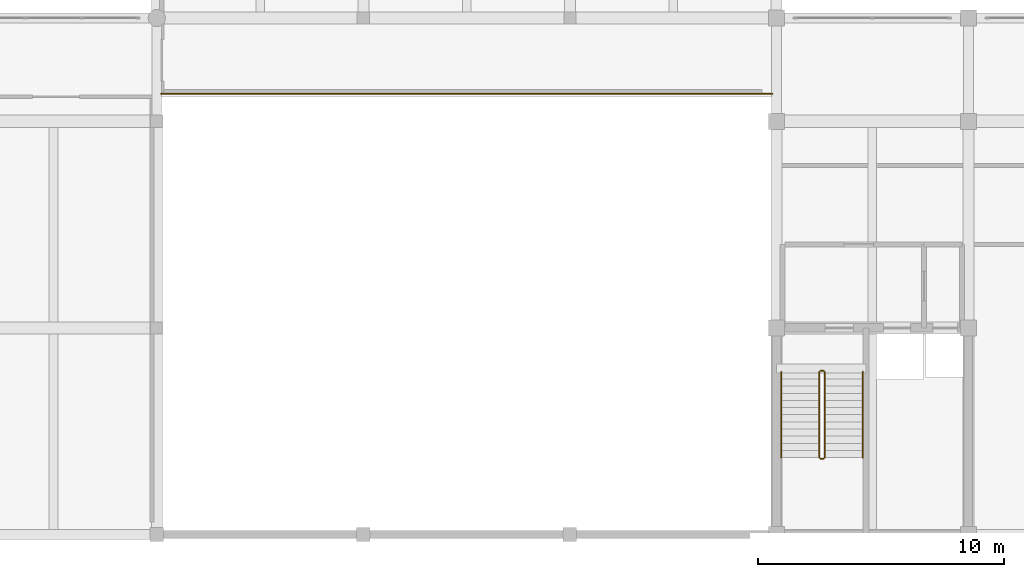
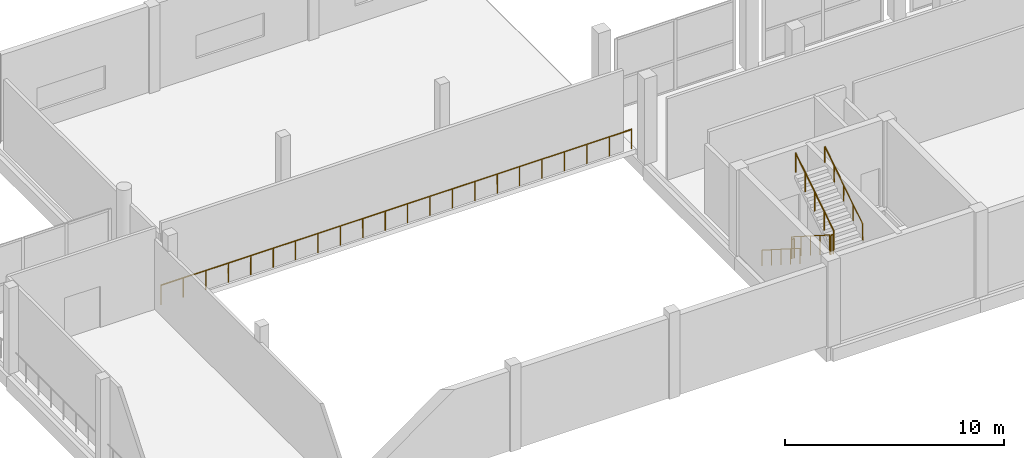
# One storey, part 46 of 47: 7 railings.
"""IFC4 building model written with IfcOpenShell, lengths in metres."""

from ifc_helpers import new_model, si_unit, direction, frame, origin, origin_2d, place, context, subcontext, project, spatial, circle, extrude, material, type_object, element, save


model = new_model("IFC4")

# Units and contexts
model_context = context("Model", 3, precision=1e-05, world=origin(), true_north=direction((0.0, 1.0)))
body_context = subcontext(model_context, "Body", "Model", "MODEL_VIEW")
ifc_project = project(units=[si_unit("LENGTHUNIT", "METRE"), si_unit("AREAUNIT", "SQUARE_METRE"), si_unit("VOLUMEUNIT", "CUBIC_METRE"), si_unit("PLANEANGLEUNIT", "RADIAN"), si_unit("MASSUNIT", "GRAM", prefix="KILO")], contexts=[model_context])

# Site, building, storey
site_placement = place(None, origin())
site = spatial("IfcSite", under=ifc_project, at=site_placement, CompositionType="ELEMENT")
building_placement = place(site_placement, origin())
building = spatial("IfcBuilding", under=site, at=building_placement, Name="Vharandega Faculty of Natural Sciences", CompositionType="ELEMENT")
storey_placement = place(building_placement, frame((0.0, 0.0, 5.39990234375)))
storey = spatial("IfcBuildingStorey", under=building, at=storey_placement, Name="L01", CompositionType="ELEMENT", Elevation=5.39990234375)

# Railings
ifc_material_1 = material(Name="Painted steel and laminated glass balustrade", Category="steel")
railing_type_1 = type_object("IfcRailingType", Name="Courtyard Architectural Balustrade 1100", PredefinedType="BALUSTRADE", material=ifc_material_1)
railing_1_placement = place(storey_placement, frame((89.77490234375, 81.919921875, 0.0)))
element("IfcRailing", 1, at=railing_1_placement, inside=storey, type_object=railing_type_1, Name="Lecture Gallery Guard L01 #1", PredefinedType="BALUSTRADE", context=body_context, shape_type="SweptSolid", body=[
    extrude(circle(Radius=0.02392578125, at=origin_2d()), frame((0.0, 0.0, 1.076171875), z_axis=(1.0, 0.0, 0.0), x_axis=(0.0, 1.0, 0.0)), (0.0, 0.0, 1.0), 24.85009765625),
    extrude(circle(Radius=0.02099609375, at=origin_2d()), origin(), (0.0, 0.0, 1.0), 1.052001953125),
    extrude(circle(Radius=0.02099609375, at=origin_2d()), frame((1.183349609375, 0.0, 0.0)), (0.0, 0.0, 1.0), 1.052001953125),
    extrude(circle(Radius=0.02099609375, at=origin_2d()), frame((2.36669921875, 0.0, 0.0)), (0.0, 0.0, 1.0), 1.052001953125),
    extrude(circle(Radius=0.02099609375, at=origin_2d()), frame((3.550048828125, 0.0, 0.0)), (0.0, 0.0, 1.0), 1.052001953125),
    extrude(circle(Radius=0.02099609375, at=origin_2d()), frame((4.7333984375, 0.0, 0.0)), (0.0, 0.0, 1.0), 1.052001953125),
    extrude(circle(Radius=0.02099609375, at=origin_2d()), frame((5.916748046875, 0.0, 0.0)), (0.0, 0.0, 1.0), 1.052001953125),
    extrude(circle(Radius=0.02099609375, at=origin_2d()), frame((7.10009765625, 0.0, 0.0)), (0.0, 0.0, 1.0), 1.052001953125),
    extrude(circle(Radius=0.02099609375, at=origin_2d()), frame((8.283447265625, 0.0, 0.0)), (0.0, 0.0, 1.0), 1.052001953125),
    extrude(circle(Radius=0.02099609375, at=origin_2d()), frame((9.466796875, 0.0, 0.0)), (0.0, 0.0, 1.0), 1.052001953125),
    extrude(circle(Radius=0.02099609375, at=origin_2d()), frame((10.650146484375, 0.0, 0.0)), (0.0, 0.0, 1.0), 1.052001953125),
    extrude(circle(Radius=0.02099609375, at=origin_2d()), frame((11.83349609375, 0.0, 0.0)), (0.0, 0.0, 1.0), 1.052001953125),
    extrude(circle(Radius=0.02099609375, at=origin_2d()), frame((13.0166015625, 0.0, 0.0)), (0.0, 0.0, 1.0), 1.052001953125),
    extrude(circle(Radius=0.02099609375, at=origin_2d()), frame((14.199951171875, 0.0, 0.0)), (0.0, 0.0, 1.0), 1.052001953125),
    extrude(circle(Radius=0.02099609375, at=origin_2d()), frame((15.38330078125, 0.0, 0.0)), (0.0, 0.0, 1.0), 1.052001953125),
    extrude(circle(Radius=0.02099609375, at=origin_2d()), frame((16.566650390625, 0.0, 0.0)), (0.0, 0.0, 1.0), 1.052001953125),
    extrude(circle(Radius=0.02099609375, at=origin_2d()), frame((17.75, 0.0, 0.0)), (0.0, 0.0, 1.0), 1.052001953125),
    extrude(circle(Radius=0.02099609375, at=origin_2d()), frame((18.933349609375, 0.0, 0.0)), (0.0, 0.0, 1.0), 1.052001953125),
    extrude(circle(Radius=0.02099609375, at=origin_2d()), frame((20.11669921875, 0.0, 0.0)), (0.0, 0.0, 1.0), 1.052001953125),
    extrude(circle(Radius=0.02099609375, at=origin_2d()), frame((21.300048828125, 0.0, 0.0)), (0.0, 0.0, 1.0), 1.052001953125),
    extrude(circle(Radius=0.02099609375, at=origin_2d()), frame((22.4833984375, 0.0, 0.0)), (0.0, 0.0, 1.0), 1.052001953125),
    extrude(circle(Radius=0.02099609375, at=origin_2d()), frame((23.666748046875, 0.0, 0.0)), (0.0, 0.0, 1.0), 1.052001953125),
    extrude(circle(Radius=0.02099609375, at=origin_2d()), frame((24.85009765625, 0.0, 0.0)), (0.0, 0.0, 1.0), 1.052001953125),
])
ifc_material_2 = material(Name="Brushed stainless steel handrail", Category="steel")
railing_type_2 = type_object("IfcRailingType", Name="Stair Tubular Handrail 900", PredefinedType="HANDRAIL", material=ifc_material_2)
railing_2_placement = place(storey_placement, frame((114.989990234375, 70.610107421875, 0.184814453125)))
element("IfcRailing", 2, at=railing_2_placement, inside=storey, type_object=railing_type_2, Name="L01 ST1 stair handrail 1", PredefinedType="HANDRAIL", context=body_context, shape_type="SweptSolid", body=[
    extrude(circle(Radius=0.02392578125, at=origin_2d()), frame((0.0, 0.0, 0.8759765625), z_axis=(0.0, -0.843590814224, 0.536986534428), x_axis=(1.0, 0.0, 0.0)), (0.0, 0.0, 1.0), 4.12548828125),
    extrude(circle(Radius=0.02099609375, at=origin_2d()), origin(), (0.0, 0.0, 1.0), 0.851806640625),
    extrude(circle(Radius=0.02099609375, at=origin_2d()), frame((0.0, -0.8701171875, 0.5537109375)), (0.0, 0.0, 1.0), 0.851806640625),
    extrude(circle(Radius=0.02099609375, at=origin_2d()), frame((0.0, -1.740234375, 1.107666015625)), (0.0, 0.0, 1.0), 0.851806640625),
    extrude(circle(Radius=0.02099609375, at=origin_2d()), frame((0.0, -2.610107421875, 1.66162109375)), (0.0, 0.0, 1.0), 0.851806640625),
    extrude(circle(Radius=0.02099609375, at=origin_2d()), frame((0.0, -3.480224609375, 2.21533203125)), (0.0, 0.0, 1.0), 0.851806640625),
])
railing_3_placement = place(storey_placement, frame((118.31005859375, 67.1298828125, 2.584716796875)))
element("IfcRailing", 3, at=railing_3_placement, inside=storey, type_object=railing_type_2, Name="L01 ST1 stair handrail 2", PredefinedType="HANDRAIL", context=body_context, shape_type="SweptSolid", body=[
    extrude(circle(Radius=0.02392578125, at=origin_2d()), frame((0.0, 0.0, 0.8759765625), z_axis=(0.0, 0.843590814224, 0.536986534428), x_axis=(-1.0, 0.0, 0.0)), (0.0, 0.0, 1.0), 4.12548828125),
    extrude(circle(Radius=0.02099609375, at=origin_2d()), origin(), (0.0, 0.0, 1.0), 0.851806640625),
    extrude(circle(Radius=0.02099609375, at=origin_2d()), frame((0.0, 0.8701171875, 0.5537109375)), (0.0, 0.0, 1.0), 0.851806640625),
    extrude(circle(Radius=0.02099609375, at=origin_2d()), frame((0.0, 1.740234375, 1.107666015625)), (0.0, 0.0, 1.0), 0.851806640625),
    extrude(circle(Radius=0.02099609375, at=origin_2d()), frame((0.0, 2.610107421875, 1.66162109375)), (0.0, 0.0, 1.0), 0.851806640625),
    extrude(circle(Radius=0.02099609375, at=origin_2d()), frame((0.0, 3.480224609375, 2.21533203125)), (0.0, 0.0, 1.0), 0.851806640625),
])
ifc_material_3 = material(Name="Painted steel stair guardrail", Category="steel")
railing_type_3 = type_object("IfcRailingType", Name="Stairwell Steel Guardrail 1100", PredefinedType="GUARDRAIL", material=ifc_material_3)
railing_4_placement = place(storey_placement, frame((116.5400390625, 70.610107421875, 0.184814453125)))
element("IfcRailing", 4, at=railing_4_placement, inside=storey, type_object=railing_type_3, Name="L01 ST1 stair guard 1", PredefinedType="GUARDRAIL", context=body_context, shape_type="SweptSolid", body=[
    extrude(circle(Radius=0.02392578125, at=origin_2d()), frame((0.0, 0.0, 1.076171875), z_axis=(0.0, -0.843590814224, 0.536986534428), x_axis=(1.0, 0.0, 0.0)), (0.0, 0.0, 1.0), 4.12548828125),
    extrude(circle(Radius=0.02099609375, at=origin_2d()), origin(), (0.0, 0.0, 1.0), 1.052001953125),
    extrude(circle(Radius=0.02099609375, at=origin_2d()), frame((0.0, -0.8701171875, 0.5537109375)), (0.0, 0.0, 1.0), 1.052001953125),
    extrude(circle(Radius=0.02099609375, at=origin_2d()), frame((0.0, -1.740234375, 1.107666015625)), (0.0, 0.0, 1.0), 1.052001953125),
    extrude(circle(Radius=0.02099609375, at=origin_2d()), frame((0.0, -2.610107421875, 1.66162109375)), (0.0, 0.0, 1.0), 1.052001953125),
    extrude(circle(Radius=0.02099609375, at=origin_2d()), frame((0.0, -3.480224609375, 2.21533203125)), (0.0, 0.0, 1.0), 1.052001953125),
])
railing_5_placement = place(storey_placement, frame((116.590087890625, 67.080078125, 2.400146484375)))
element("IfcRailing", 5, at=railing_5_placement, inside=storey, type_object=railing_type_3, Name="L01 ST1 stair guard 2", PredefinedType="GUARDRAIL", context=body_context, shape_type="SweptSolid", body=[
    extrude(circle(Radius=0.02392578125, at=origin_2d()), frame((0.0, 0.0, 1.076171875), z_axis=(1.0, 0.0, 0.0), x_axis=(0.0, 1.0, 0.0)), (0.0, 0.0, 1.0), 0.119873046875),
    extrude(circle(Radius=0.02099609375, at=origin_2d()), origin(), (0.0, 0.0, 1.0), 1.052001953125),
    extrude(circle(Radius=0.02099609375, at=origin_2d()), frame((0.119873046875, 0.0, 0.0)), (0.0, 0.0, 1.0), 1.052001953125),
])
railing_6_placement = place(storey_placement, frame((116.760009765625, 67.1298828125, 2.584716796875)))
element("IfcRailing", 6, at=railing_6_placement, inside=storey, type_object=railing_type_3, Name="L01 ST1 stair guard 3", PredefinedType="GUARDRAIL", context=body_context, shape_type="SweptSolid", body=[
    extrude(circle(Radius=0.02392578125, at=origin_2d()), frame((0.0, 0.0, 1.076171875), z_axis=(0.0, 0.843590814224, 0.536986534428), x_axis=(-1.0, 0.0, 0.0)), (0.0, 0.0, 1.0), 4.12548828125),
    extrude(circle(Radius=0.02099609375, at=origin_2d()), origin(), (0.0, 0.0, 1.0), 1.052001953125),
    extrude(circle(Radius=0.02099609375, at=origin_2d()), frame((0.0, 0.8701171875, 0.5537109375)), (0.0, 0.0, 1.0), 1.052001953125),
    extrude(circle(Radius=0.02099609375, at=origin_2d()), frame((0.0, 1.740234375, 1.107666015625)), (0.0, 0.0, 1.0), 1.052001953125),
    extrude(circle(Radius=0.02099609375, at=origin_2d()), frame((0.0, 2.610107421875, 1.66162109375)), (0.0, 0.0, 1.0), 1.052001953125),
    extrude(circle(Radius=0.02099609375, at=origin_2d()), frame((0.0, 3.480224609375, 2.21533203125)), (0.0, 0.0, 1.0), 1.052001953125),
])
railing_7_placement = place(storey_placement, frame((116.590087890625, 70.659912109375, 0.0)))
element("IfcRailing", 7, at=railing_7_placement, inside=storey, type_object=railing_type_3, Name="L01 ST1 stair guard 4", PredefinedType="GUARDRAIL", context=body_context, shape_type="SweptSolid", body=[
    extrude(circle(Radius=0.02392578125, at=origin_2d()), frame((0.0, 0.0, 1.076171875), z_axis=(1.0, 0.0, 0.0), x_axis=(0.0, 1.0, 0.0)), (0.0, 0.0, 1.0), 0.119873046875),
    extrude(circle(Radius=0.02099609375, at=origin_2d()), origin(), (0.0, 0.0, 1.0), 1.052001953125),
    extrude(circle(Radius=0.02099609375, at=origin_2d()), frame((0.119873046875, 0.0, 0.0)), (0.0, 0.0, 1.0), 1.052001953125),
])

save(model, "model.ifc")
